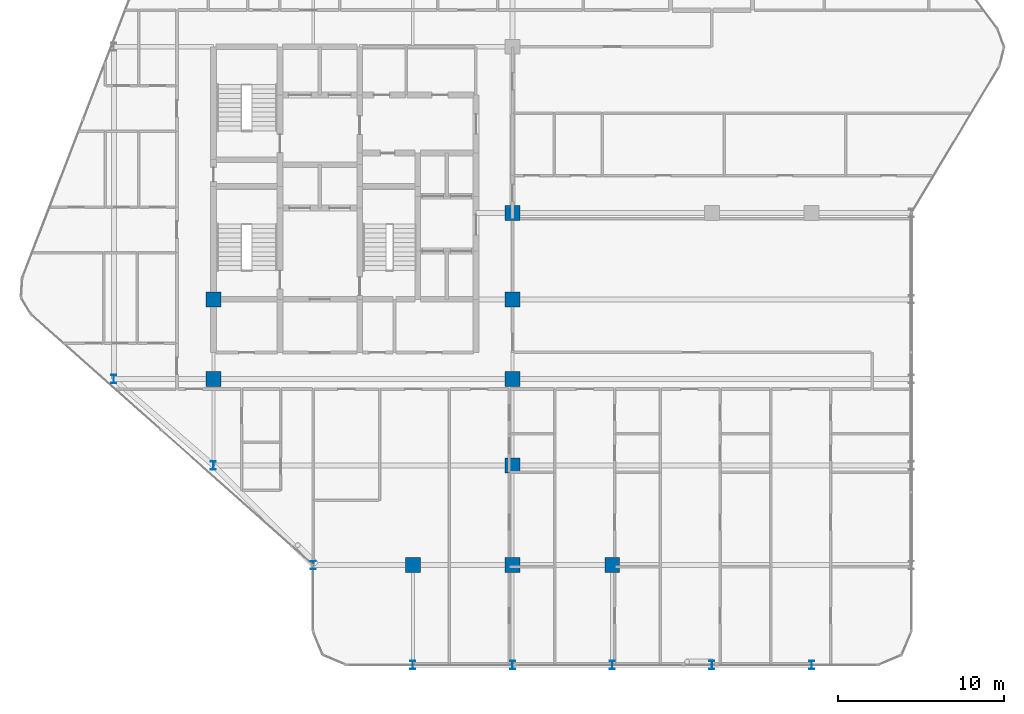
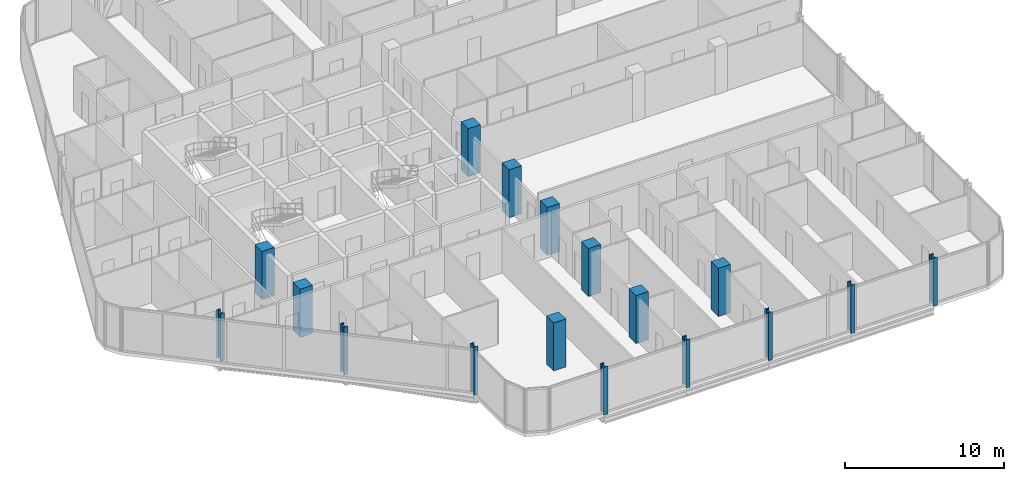
# One storey, part 1 of 32: 17 columns.
"""IFC4 building model written with IfcOpenShell, lengths in metres."""

from ifc_helpers import new_model, si_unit, direction, frame, origin, origin_2d, place, context, subcontext, project, spatial, rectangle, i_section, extrude, material, material_profile, profile_set, type_object, element, save


model = new_model("IFC4")

# Units and contexts
model_context = context("Model", 3, precision=1e-05, world=origin(), true_north=direction((0.0, 1.0)))
body_context = subcontext(model_context, "Body", "Model", "MODEL_VIEW")
ifc_project = project(units=[si_unit("LENGTHUNIT", "METRE"), si_unit("AREAUNIT", "SQUARE_METRE"), si_unit("VOLUMEUNIT", "CUBIC_METRE"), si_unit("PLANEANGLEUNIT", "RADIAN"), si_unit("MASSUNIT", "GRAM", prefix="KILO")], contexts=[model_context])

# Site, building, storey
site_placement = place(None, origin())
site = spatial("IfcSite", under=ifc_project, at=site_placement, CompositionType="ELEMENT")
building_placement = place(site_placement, origin())
building = spatial("IfcBuilding", under=site, at=building_placement, Name="Keshet Zoharim Tower", CompositionType="ELEMENT")
storey_placement = place(building_placement, frame((0.0, 0.0, 152.0)))
storey = spatial("IfcBuildingStorey", under=building, at=storey_placement, Name="L37", CompositionType="ELEMENT", Elevation=152.0)

# Columns
ifc_material_1 = material(Name="Steel S355", Category="steel")
ifc_material_profile_1 = material_profile(ifc_material_1, i_section(OverallWidth=0.300048828125, OverallDepth=0.5, WebThickness=0.014404296875, FlangeThickness=0.028076171875, FilletRadius=0.027099609375, at=origin_2d()), Name="HEB500")
ifc_profile_set_1 = profile_set([ifc_material_profile_1], Name="Steel S355")
column_type_1 = type_object("IfcColumnType", Name="COL-HEB500", PredefinedType="COLUMN", material=ifc_profile_set_1)
for number, where, z_axis, x_axis, name in (
    (1, (9.0, 17.89990234375, 0.0), (0.0, 0.0, 1.0), (1.0, 0.0, 0.0), "L37 Column 2D"),
    (2, (15.0, 12.699951171875, 0.0), (0.0, 0.0, 1.0), (1.0, 0.0, 0.0), "L37 Column 3C"),
    (3, (21.0, 6.699951171875, 0.0), (0.0, 0.0, 1.0), (1.0, 0.0, 0.0), "L37 Column 4B"),
    (4, (27.0, 0.699951171875, 0.0), (0.0, 0.0, 1.0), (1.0, 0.0, 0.0), "L37 Column 5A"),
    (5, (33.0, 0.699951171875, 0.0), (0.0, 0.0, 1.0), (1.0, 0.0, 0.0), "L37 Column 6A"),
    (6, (39.0, 0.699951171875, 0.0), (0.0, 0.0, 1.0), (1.0, 0.0, 0.0), "L37 Column 7A"),
    (7, (45.0, 0.699951171875, 0.0), (0.0, 0.0, 1.0), (1.0, 0.0, 0.0), "L37 Column 8A"),
    (8, (51.0, 0.699951171875, 0.0), (0.0, 0.0, 1.0), (1.0, 0.0, 0.0), "L37 Column 9A"),
):
    element("IfcColumn", number, at=place(storey_placement, frame(where, z_axis=z_axis, x_axis=x_axis)), inside=storey, type_object=column_type_1, Name=name, PredefinedType="COLUMN", context=body_context, shape_type="SweptSolid", body=[
        extrude(i_section(OverallWidth=0.300048828125, OverallDepth=0.5, WebThickness=0.014404296875, FlangeThickness=0.028076171875, FilletRadius=0.027099609375, at=origin_2d()), origin(), (0.0, 0.0, 1.0), 3.699951171875),
    ])
ifc_material_2 = material(Name="Concrete C60/75", Category="concrete")
ifc_material_profile_2 = material_profile(ifc_material_2, rectangle(XDim=0.89990234375, YDim=0.89990234375, at=origin_2d()), Name="RC900x900")
ifc_profile_set_2 = profile_set([ifc_material_profile_2], Name="Concrete C60/75")
column_type_2 = type_object("IfcColumnType", Name="COL-RC900", PredefinedType="COLUMN", material=ifc_profile_set_2)
for number, where, z_axis, x_axis, name in (
    (9, (15.0, 17.89990234375, 0.0), (0.0, 0.0, 1.0), (1.0, 0.0, 0.0), "L37 Column 3D"),
    (10, (15.0, 22.699951171875, 0.0), (0.0, 0.0, 1.0), (1.0, 0.0, 0.0), "L37 Column 3E"),
    (11, (27.0, 6.699951171875, 0.0), (0.0, 0.0, 1.0), (1.0, 0.0, 0.0), "L37 Column 5B"),
    (12, (33.0, 6.699951171875, 0.0), (0.0, 0.0, 1.0), (1.0, 0.0, 0.0), "L37 Column 6B"),
    (13, (33.0, 12.699951171875, 0.0), (0.0, 0.0, 1.0), (1.0, 0.0, 0.0), "L37 Column 6C"),
    (14, (33.0, 17.89990234375, 0.0), (0.0, 0.0, 1.0), (1.0, 0.0, 0.0), "L37 Column 6D"),
    (15, (33.0, 22.699951171875, 0.0), (0.0, 0.0, 1.0), (1.0, 0.0, 0.0), "L37 Column 6E"),
    (16, (33.0, 27.89990234375, 0.0), (0.0, 0.0, 1.0), (1.0, 0.0, 0.0), "L37 Column 6F"),
    (17, (39.0, 6.699951171875, 0.0), (0.0, 0.0, 1.0), (1.0, 0.0, 0.0), "L37 Column 7B"),
):
    element("IfcColumn", number, at=place(storey_placement, frame(where, z_axis=z_axis, x_axis=x_axis)), inside=storey, type_object=column_type_2, Name=name, PredefinedType="COLUMN", context=body_context, shape_type="SweptSolid", body=[
        extrude(rectangle(XDim=0.89990234375, YDim=0.89990234375, at=origin_2d()), origin(), (0.0, 0.0, 1.0), 3.699951171875),
    ])

save(model, "model.ifc")
